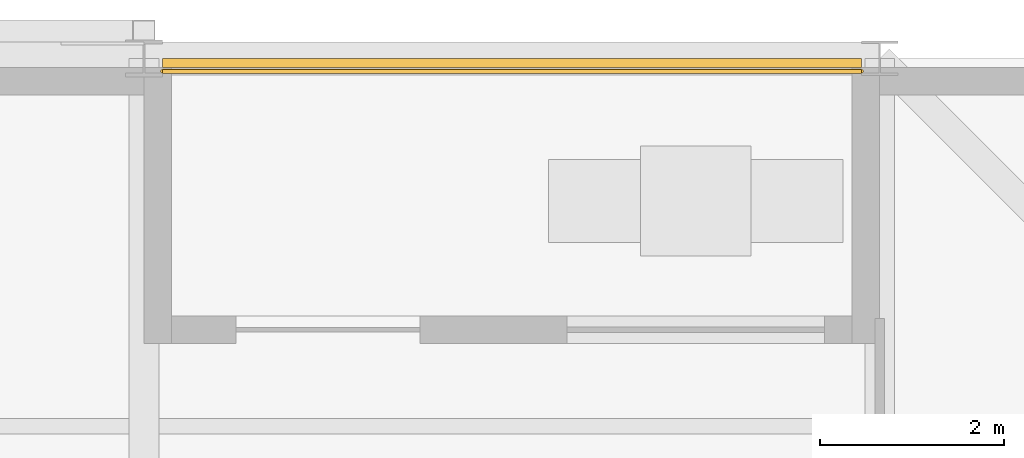
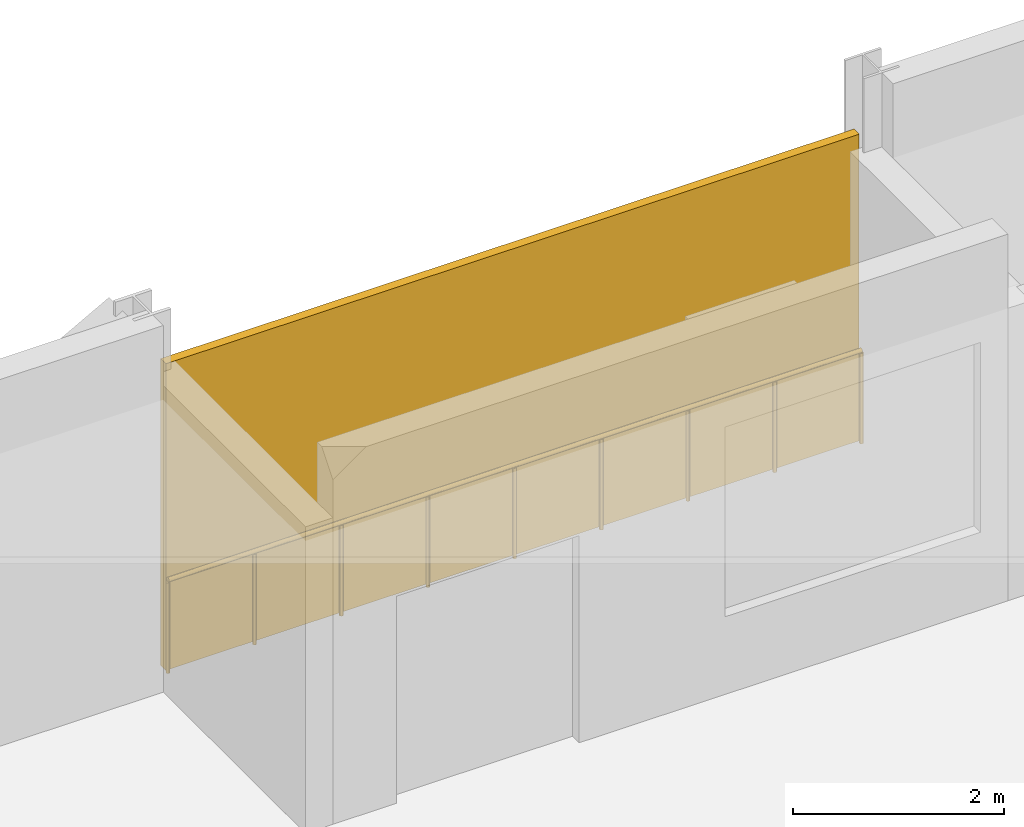
# One storey, part 12 of 13: 1 railing, 1 shading device.
"""IFC4 building model written with IfcOpenShell, lengths in metres."""

from ifc_helpers import new_model, si_unit, direction, frame, origin, origin_2d, place, context, subcontext, project, spatial, rectangle, circle, extrude, material, layer, layer_set, type_object, element, save


model = new_model("IFC4")

# Units and contexts
model_context = context("Model", 3, precision=1e-05, world=origin(), true_north=direction((0.0, 1.0)))
body_context = subcontext(model_context, "Body", "Model", "MODEL_VIEW")
ifc_project = project(units=[si_unit("LENGTHUNIT", "METRE"), si_unit("AREAUNIT", "SQUARE_METRE"), si_unit("VOLUMEUNIT", "CUBIC_METRE"), si_unit("PLANEANGLEUNIT", "RADIAN"), si_unit("MASSUNIT", "GRAM", prefix="KILO")], contexts=[model_context])

# Site, building, storey
site_placement = place(None, origin())
site = spatial("IfcSite", under=ifc_project, at=site_placement, CompositionType="ELEMENT")
building_placement = place(site_placement, origin())
building = spatial("IfcBuilding", under=site, at=building_placement, Name="Immortelle Media Tower", CompositionType="ELEMENT")
storey_placement = place(building_placement, frame((0.0, 0.0, 56.800048828125)))
storey = spatial("IfcBuildingStorey", under=building, at=storey_placement, Name="L09", CompositionType="ELEMENT", Elevation=56.800048828125)

# Railing
ifc_material_1 = material(Name="Powder-coated aluminium fretwork panel, laminated glass backing", Category="aluminium")
railing_type = type_object("IfcRailingType", Name="Fretwork balustrade 1100", PredefinedType="BALUSTRADE", material=ifc_material_1)
railing_placement = place(storey_placement, frame((39.802978515625, 47.860107421875, 0.0)))
element("IfcRailing", 1, at=railing_placement, inside=storey, type_object=railing_type, Name="Fretwork balustrade L09 N0", PredefinedType="BALUSTRADE", context=body_context, shape_type="SweptSolid", body=[
    extrude(circle(Radius=0.02490234375, at=origin_2d()), frame((0.0, 0.0, 1.0751953125), z_axis=(-1.0, 0.0, 0.0), x_axis=(0.0, -1.0, 0.0)), (0.0, 0.0, 1.0), 7.6025390625),
    extrude(circle(Radius=0.02001953125, at=origin_2d()), origin(), (0.0, 0.0, 1.0), 1.050048828125),
    extrude(circle(Radius=0.02001953125, at=origin_2d()), frame((-0.9501953125, 0.0, 0.0)), (0.0, 0.0, 1.0), 1.050048828125),
    extrude(circle(Radius=0.02001953125, at=origin_2d()), frame((-1.900634765625, 0.0, 0.0)), (0.0, 0.0, 1.0), 1.050048828125),
    extrude(circle(Radius=0.02001953125, at=origin_2d()), frame((-2.85107421875, 0.0, 0.0)), (0.0, 0.0, 1.0), 1.050048828125),
    extrude(circle(Radius=0.02001953125, at=origin_2d()), frame((-3.80126953125, 0.0, 0.0)), (0.0, 0.0, 1.0), 1.050048828125),
    extrude(circle(Radius=0.02001953125, at=origin_2d()), frame((-4.75146484375, 0.0, 0.0)), (0.0, 0.0, 1.0), 1.050048828125),
    extrude(circle(Radius=0.02001953125, at=origin_2d()), frame((-5.701904296875, 0.0, 0.0)), (0.0, 0.0, 1.0), 1.050048828125),
    extrude(circle(Radius=0.02001953125, at=origin_2d()), frame((-6.65234375, 0.0, 0.0)), (0.0, 0.0, 1.0), 1.050048828125),
    extrude(circle(Radius=0.02001953125, at=origin_2d()), frame((-7.6025390625, 0.0, 0.0)), (0.0, 0.0, 1.0), 1.050048828125),
])

# Shading device
ifc_material_2 = material(Name="Pale aluminium louvre blades", Category="aluminium")
ifc_layer = layer(ifc_material_2, 0.10009765625)
ifc_layer_set = layer_set([ifc_layer], Name="Pale aluminium louvre blades")
shading_device_type = type_object("IfcShadingDeviceType", Name="Jalousie screen 100", PredefinedType="JALOUSIE", material=ifc_layer_set)
shading_device_placement = place(storey_placement, frame((36.001708984375, 47.949951171875, 0.0), z_axis=(0.0, 0.0, 1.0), x_axis=(-1.0, 0.0, 0.0)))
element("IfcShadingDevice", 2, at=shading_device_placement, inside=storey, type_object=shading_device_type, Name="Jalousie screen L09 N0", PredefinedType="JALOUSIE", context=body_context, shape_type="SweptSolid", body=[
    extrude(rectangle(XDim=7.6025390625, YDim=0.10009765625, at=origin_2d()), origin(), (0.0, 0.0, 1.0), 3.553955078125),
])

save(model, "model.ifc")
